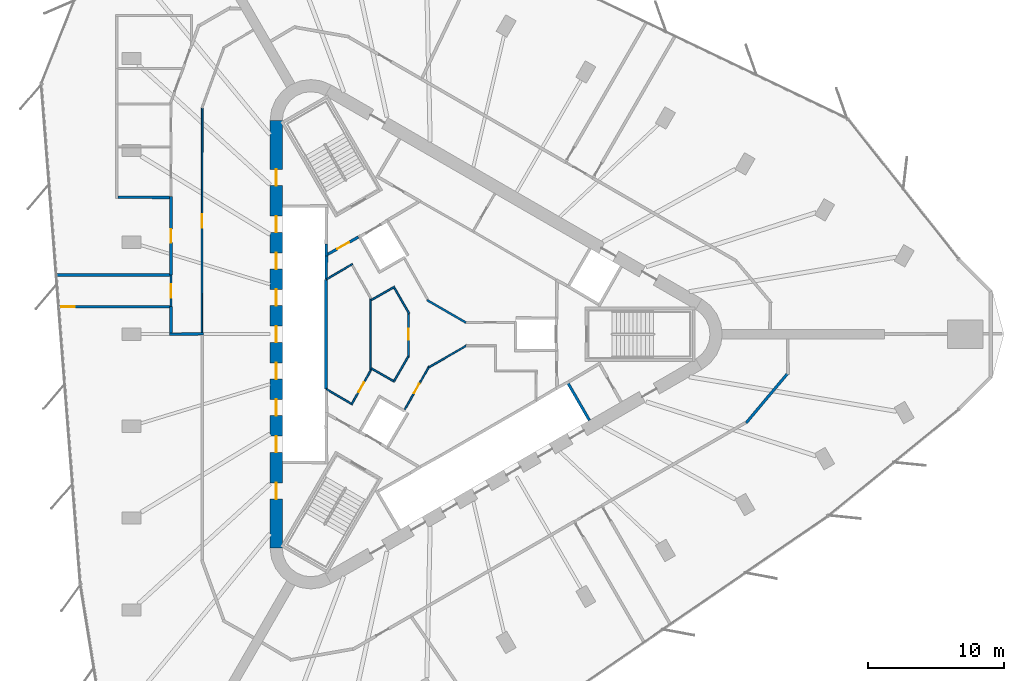
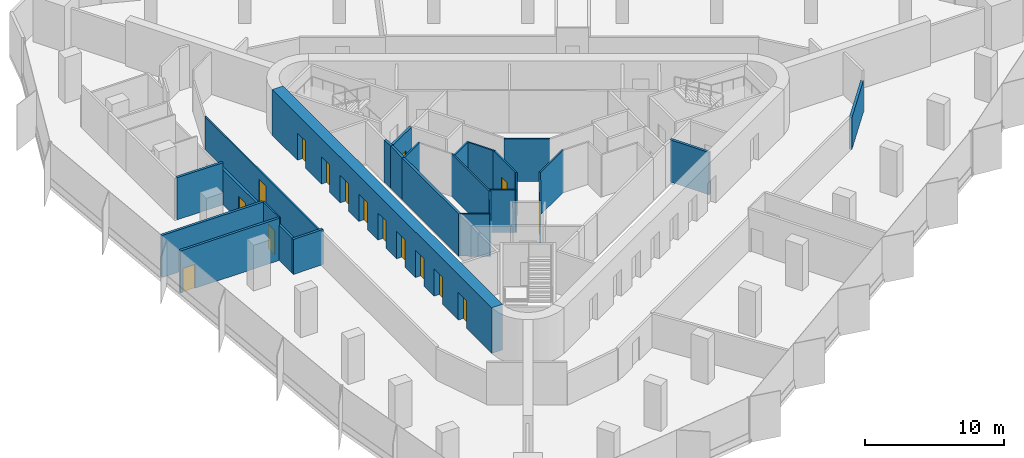
# One storey, part 9 of 13: 27 walls, 17 doors, 17 openings.
"""IFC4 building model written with IfcOpenShell, lengths in metres."""

import ifcopenshell
import ifcopenshell.guid

model = None  # the IFC model being written
_history = None  # IfcOwnerHistory: only IFC2X3 demands one
_inside = {}  # id of a spatial element -> (the spatial element, [elements in it])
_under = {}  # id of a project, library or spatial element -> (it, [spatial elements below it])
_declared = {}  # id of a project -> (the project, [libraries it declares])
_typed = {}  # id of a type object -> (the type object, [elements of that type])
_made_of = {}  # id of a material, layer set ... -> (it, [elements and type objects made of it])


def new_model(schema):
    """Start an empty IFC model of exactly this schema.

    Asked for "IFC4X3", IfcOpenShell would pick the latest addendum, in which some entities
    have other attributes; the version numbers below select the first issue.
    IFC2X3 requires an IfcOwnerHistory on every rooted entity: one is made here for all.
    """
    global model, _history
    if schema == "IFC4X3":
        model = ifcopenshell.file(schema_version=(4, 3, 0, 0))
    else:
        model = ifcopenshell.file(schema=schema)
    _inside.clear()
    _under.clear()
    _declared.clear()
    _typed.clear()
    _made_of.clear()
    _history = None
    if model.schema == "IFC2X3":
        org = make("IfcOrganization", Name="unknown")
        user = make(
            "IfcPersonAndOrganization",
            ThePerson=make("IfcPerson", FamilyName="unknown"),
            TheOrganization=org,
        )
        app = make(
            "IfcApplication",
            ApplicationDeveloper=org,
            Version="unknown",
            ApplicationFullName="unknown",
            ApplicationIdentifier="unknown",
        )
        _history = make(
            "IfcOwnerHistory",
            OwningUser=user,
            OwningApplication=app,
            ChangeAction="ADDED",
            CreationDate=0,
        )
    return model


def make(cls, **values):
    """One entity of the class cls with the attributes given. An attribute that is None is left unset."""
    return model.create_entity(
        cls, **{name: value for name, value in values.items() if value is not None}
    )


def rooted(cls, **values):
    """An entity with a GlobalId (a new one), such as an element, a storey or a relation."""
    return make(cls, GlobalId=ifcopenshell.guid.new(), OwnerHistory=_history, **values)


def si_unit(unit_type, name, prefix=None):
    """IfcSIUnit, for example si_unit("LENGTHUNIT", "METRE", prefix="MILLI")."""
    return make("IfcSIUnit", UnitType=unit_type, Prefix=prefix, Name=name)


def assignment(units):
    """IfcUnitAssignment: the units of a project."""
    return None if units is None else make("IfcUnitAssignment", Units=units)


def point(xyz):
    """IfcCartesianPoint."""
    return None if xyz is None else make("IfcCartesianPoint", Coordinates=xyz)


def direction(xyz):
    """IfcDirection."""
    return None if xyz is None else make("IfcDirection", DirectionRatios=xyz)


def frame(location, z_axis=None, x_axis=None):
    """IfcAxis2Placement3D, a coordinate frame: its origin and axes. An axis left out is left unset."""
    return make(
        "IfcAxis2Placement3D",
        Location=point(location),
        Axis=direction(z_axis),
        RefDirection=direction(x_axis),
    )


def frame_2d(location, x_axis=None):
    """IfcAxis2Placement2D, a coordinate frame in the plane: its origin and x axis."""
    return make(
        "IfcAxis2Placement2D", Location=point(location), RefDirection=direction(x_axis)
    )


def origin():
    """The frame at (0, 0, 0) with its axes left unset."""
    return frame((0.0, 0.0, 0.0))


def place(relative_to, where):
    """IfcLocalPlacement: puts the frame where relative to a parent placement (None: the world)."""
    return make(
        "IfcLocalPlacement", PlacementRelTo=relative_to, RelativePlacement=where
    )


def context(
    kind, dimensions, precision=None, world=None, true_north=None, identifier=None
):
    """IfcGeometricRepresentationContext, for example the 3D "Model" context."""
    return make(
        "IfcGeometricRepresentationContext",
        ContextIdentifier=identifier,
        ContextType=kind,
        CoordinateSpaceDimension=dimensions,
        Precision=precision,
        WorldCoordinateSystem=world,
        TrueNorth=true_north,
    )


def subcontext(parent, identifier, kind, view, scale=None):
    """IfcGeometricRepresentationSubContext, for example "Body" below "Model"."""
    return make(
        "IfcGeometricRepresentationSubContext",
        ContextIdentifier=identifier,
        ContextType=kind,
        ParentContext=parent,
        TargetScale=scale,
        TargetView=view,
    )


def project(units=None, contexts=None):
    """IfcProject with its units and contexts."""
    return rooted(
        "IfcProject",
        Name="project",
        RepresentationContexts=contexts,
        UnitsInContext=assignment(units),
    )


def spatial(cls, under=None, at=None, **own):
    """A site, building, storey or space (cls), placed at a placement, below another one or the project."""
    s = rooted(cls, ObjectPlacement=at, **own)
    if under is not None:
        _under.setdefault(under.id(), (under, []))[1].append(s)
    return s


def profile(cls, at=None, kind="AREA", **sizes):
    """A parametric profile (cls). Its sizes go by their IFC names, for example OverallWidth=200.0."""
    return make(cls, ProfileType=kind, Position=at, **sizes)


def rectangle(**sizes):
    """IfcRectangleProfileDef."""
    return profile("IfcRectangleProfileDef", **sizes)


def extrude(swept, where, along, depth):
    """IfcExtrudedAreaSolid: the profile swept, set in the frame where, extruded along a direction by depth."""
    return make(
        "IfcExtrudedAreaSolid",
        SweptArea=swept,
        Position=where,
        ExtrudedDirection=direction(along),
        Depth=depth,
    )


def shape(context_of_items, identifier, shape_type, items):
    """IfcShapeRepresentation: the items that make up one representation, for example the "Body"."""
    return make(
        "IfcShapeRepresentation",
        ContextOfItems=context_of_items,
        RepresentationIdentifier=identifier,
        RepresentationType=shape_type,
        Items=items,
    )


def material(Name=None, Category=None):
    """IfcMaterial."""
    return make("IfcMaterial", Name=Name, Category=Category)


def layer(
    of_material, thickness, ventilated=None, Name=None, Category=None, Priority=None
):
    """IfcMaterialLayer: one layer of a wall or slab, of a material (None: an air gap)."""
    return make(
        "IfcMaterialLayer",
        Material=of_material,
        LayerThickness=thickness,
        IsVentilated=ventilated,
        Name=Name,
        Category=Category,
        Priority=Priority,
    )


def layer_set(layers, Name=None):
    """IfcMaterialLayerSet."""
    return make("IfcMaterialLayerSet", MaterialLayers=layers, LayerSetName=Name)


def made_of(thing, what):
    """Note that an element or type object is made of a material, layer set ...; save() writes the relation."""
    if what is not None:
        _made_of.setdefault(what.id(), (what, []))[1].append(thing)
    return thing


def type_object(cls, material=None, **own):
    """A type object (cls), such as IfcWallType, which elements share."""
    return made_of(rooted(cls, **own), material)


def element(
    cls,
    number,
    at=None,
    inside=None,
    cuts=None,
    type_object=None,
    material=None,
    context=None,
    identifier="Body",
    shape_type=None,
    held_by="IfcProductDefinitionShape",
    body=None,
    shapes=None,
    **own,
):
    """One element of the class cls, such as IfcWall. Its Tag is "e" and its number.

    at: its placement. inside: the storey or other place that contains it. cuts: it is an
    opening in that element (IfcRelVoidsElement). A single representation is given by context,
    identifier, shape_type and body (its items); several are given by shapes. held_by: the class
    of the entity that holds the representations. save() writes the other relations.
    """
    e = rooted(cls, Tag="e%d" % number, ObjectPlacement=at, **own)
    if body is not None:
        shapes = [shape(context, identifier, shape_type, body)]
    if shapes is not None:
        e.Representation = make(held_by, Representations=shapes)
    if inside is not None:
        _inside.setdefault(inside.id(), (inside, []))[1].append(e)
    if cuts is not None:
        rooted(
            "IfcRelVoidsElement", RelatingBuildingElement=cuts, RelatedOpeningElement=e
        )
    if type_object is not None:
        _typed.setdefault(type_object.id(), (type_object, []))[1].append(e)
    return made_of(e, material)


def fill(opening, filler):
    """IfcRelFillsElement: the door or window that sits in an opening."""
    return rooted(
        "IfcRelFillsElement",
        RelatingOpeningElement=opening,
        RelatedBuildingElement=filler,
    )


def aggregate(whole, parts):
    """IfcRelAggregates: a whole, such as a stair, and the parts it consists of."""
    return rooted("IfcRelAggregates", RelatingObject=whole, RelatedObjects=parts)


def save(model, path):
    """Write the relations noted so far, then the file.

    IfcRelAggregates (storeys below a building ...), IfcRelContainedInSpatialStructure (elements
    in a storey), IfcRelDefinesByType, IfcRelAssociatesMaterial and IfcRelDeclares: one each for
    every whole, place, type object, material and project.
    """
    for whole, parts in _under.values():
        aggregate(whole, parts)
    for where, things in _inside.values():
        rooted(
            "IfcRelContainedInSpatialStructure",
            RelatedElements=things,
            RelatingStructure=where,
        )
    for kind, things in _typed.values():
        rooted("IfcRelDefinesByType", RelatedObjects=things, RelatingType=kind)
    for what, things in _made_of.values():
        rooted("IfcRelAssociatesMaterial", RelatedObjects=things, RelatingMaterial=what)
    for by, libraries in _declared.values():
        rooted("IfcRelDeclares", RelatingContext=by, RelatedDefinitions=libraries)
    model.write(path)


model = new_model("IFC4")

# Units and contexts
model_context = context("Model", 3, precision=1e-05, world=origin(), true_north=direction((0.0, 1.0)))
body_context = subcontext(model_context, "Body", "Model", "MODEL_VIEW")
ifc_project = project(units=[si_unit("LENGTHUNIT", "METRE"), si_unit("AREAUNIT", "SQUARE_METRE"), si_unit("VOLUMEUNIT", "CUBIC_METRE"), si_unit("PLANEANGLEUNIT", "RADIAN"), si_unit("MASSUNIT", "GRAM", prefix="KILO")], contexts=[model_context])

# Site, building, storey
site_placement = place(None, origin())
site = spatial("IfcSite", under=ifc_project, at=site_placement, CompositionType="ELEMENT")
building_placement = place(site_placement, origin())
building = spatial("IfcBuilding", under=site, at=building_placement, Name="Tanit Gate Tower", CompositionType="ELEMENT")
storey_placement = place(building_placement, frame((0.0, 0.0, 197.199951171875)))
storey = spatial("IfcBuildingStorey", under=building, at=storey_placement, Name="L43", CompositionType="ELEMENT", Elevation=197.199951171875)

# Wall, openings, doors
ifc_material_1 = material(Name="Concrete C50/60", Category="concrete")
ifc_layer_1 = layer(ifc_material_1, 0.89990234375)
ifc_layer_set_1 = layer_set([ifc_layer_1], Name="CORE WALL 900 C50/60")
wall_type_1 = type_object("IfcWallType", Name="CORE WALL 900 C50/60", PredefinedType="SHEAR", material=ifc_layer_set_1)
wall_1_placement = place(storey_placement, frame((-11.64990234375, 15.76171875, 0.0), z_axis=(0.0, 0.0, 1.0), x_axis=(0.0, -1.0, 0.0)))
wall_1 = element("IfcWall", 1, at=wall_1_placement, inside=storey, type_object=wall_type_1, Name="CORE WALL", PredefinedType="SHEAR", context=body_context, shape_type="SweptSolid", body=[
    extrude(rectangle(XDim=31.5234375, YDim=0.89990234375, at=frame_2d((15.76171875, 0.0))), origin(), (0.0, 0.0, 1.0), 4.0),
])
opening_1_placement = place(wall_1_placement, frame((7.061767578125, 0.0, 0.0)))
opening_1 = element("IfcOpeningElement", 2, at=opening_1_placement, cuts=wall_1, Name="Opening LDML1-S11", PredefinedType="OPENING", context=body_context, shape_type="SweptSolid", body=[
    extrude(rectangle(XDim=1.199951171875, YDim=2.39990234375, at=frame_2d((0.60009765625, 1.199951171875))), frame((0.0, 0.4599609375, 0.0), z_axis=(0.0, -1.0, 0.0), x_axis=(1.0, 0.0, 0.0)), (0.0, 0.0, 1.0), 0.919921875),
])
opening_2_placement = place(wall_1_placement, frame((9.76171875, 0.0, 0.0)))
opening_2 = element("IfcOpeningElement", 3, at=opening_2_placement, cuts=wall_1, Name="Opening LDML2-S11", PredefinedType="OPENING", context=body_context, shape_type="SweptSolid", body=[
    extrude(rectangle(XDim=1.199951171875, YDim=2.39990234375, at=frame_2d((0.60009765625, 1.199951171875))), frame((0.0, 0.4599609375, 0.0), z_axis=(0.0, -1.0, 0.0), x_axis=(1.0, 0.0, 0.0)), (0.0, 0.0, 1.0), 0.919921875),
])
opening_3_placement = place(wall_1_placement, frame((12.461669921875, 0.0, 0.0)))
opening_3 = element("IfcOpeningElement", 4, at=opening_3_placement, cuts=wall_1, Name="Opening LDML3-S11", PredefinedType="OPENING", context=body_context, shape_type="SweptSolid", body=[
    extrude(rectangle(XDim=1.199951171875, YDim=2.39990234375, at=frame_2d((0.60009765625, 1.199951171875))), frame((0.0, 0.4599609375, 0.0), z_axis=(0.0, -1.0, 0.0), x_axis=(1.0, 0.0, 0.0)), (0.0, 0.0, 1.0), 0.919921875),
])
opening_4_placement = place(wall_1_placement, frame((15.16162109375, 0.0, 0.0)))
opening_4 = element("IfcOpeningElement", 5, at=opening_4_placement, cuts=wall_1, Name="Opening LDML4-S11", PredefinedType="OPENING", context=body_context, shape_type="SweptSolid", body=[
    extrude(rectangle(XDim=1.199951171875, YDim=2.39990234375, at=frame_2d((0.60009765625, 1.199951171875))), frame((0.0, 0.4599609375, 0.0), z_axis=(0.0, -1.0, 0.0), x_axis=(1.0, 0.0, 0.0)), (0.0, 0.0, 1.0), 0.919921875),
])
opening_5_placement = place(wall_1_placement, frame((17.86181640625, 0.0, 0.0)))
opening_5 = element("IfcOpeningElement", 6, at=opening_5_placement, cuts=wall_1, Name="Opening LDML5-S11", PredefinedType="OPENING", context=body_context, shape_type="SweptSolid", body=[
    extrude(rectangle(XDim=1.199951171875, YDim=2.39990234375, at=frame_2d((0.60009765625, 1.199951171875))), frame((0.0, 0.4599609375, 0.0), z_axis=(0.0, -1.0, 0.0), x_axis=(1.0, 0.0, 0.0)), (0.0, 0.0, 1.0), 0.919921875),
])
opening_6_placement = place(wall_1_placement, frame((20.561767578125, 0.0, 0.0)))
opening_6 = element("IfcOpeningElement", 7, at=opening_6_placement, cuts=wall_1, Name="Opening LDML6-S11", PredefinedType="OPENING", context=body_context, shape_type="SweptSolid", body=[
    extrude(rectangle(XDim=1.199951171875, YDim=2.39990234375, at=frame_2d((0.60009765625, 1.199951171875))), frame((0.0, 0.4599609375, 0.0), z_axis=(0.0, -1.0, 0.0), x_axis=(1.0, 0.0, 0.0)), (0.0, 0.0, 1.0), 0.919921875),
])
opening_7_placement = place(wall_1_placement, frame((23.26171875, 0.0, 0.0)))
opening_7 = element("IfcOpeningElement", 8, at=opening_7_placement, cuts=wall_1, Name="Opening LDML7-S11", PredefinedType="OPENING", context=body_context, shape_type="SweptSolid", body=[
    extrude(rectangle(XDim=1.199951171875, YDim=2.39990234375, at=frame_2d((0.60009765625, 1.199951171875))), frame((0.0, 0.4599609375, 0.0), z_axis=(0.0, -1.0, 0.0), x_axis=(1.0, 0.0, 0.0)), (0.0, 0.0, 1.0), 0.919921875),
])
opening_8_placement = place(wall_1_placement, frame((3.61181640625, 0.0, 0.0)))
opening_8 = element("IfcOpeningElement", 9, at=opening_8_placement, cuts=wall_1, Name="Opening F12-S11-FL2", PredefinedType="OPENING", context=body_context, shape_type="SweptSolid", body=[
    extrude(rectangle(XDim=1.199951171875, YDim=2.39990234375, at=frame_2d((0.60009765625, 1.199951171875))), frame((0.0, 0.4599609375, 0.0), z_axis=(0.0, -1.0, 0.0), x_axis=(1.0, 0.0, 0.0)), (0.0, 0.0, 1.0), 0.919921875),
])
opening_9_placement = place(wall_1_placement, frame((26.711669921875, 0.0, 0.0)))
opening_9 = element("IfcOpeningElement", 10, at=opening_9_placement, cuts=wall_1, Name="Opening F12-S11-S3", PredefinedType="OPENING", context=body_context, shape_type="SweptSolid", body=[
    extrude(rectangle(XDim=1.199951171875, YDim=2.39990234375, at=frame_2d((0.60009765625, 1.199951171875))), frame((0.0, 0.4599609375, 0.0), z_axis=(0.0, -1.0, 0.0), x_axis=(1.0, 0.0, 0.0)), (0.0, 0.0, 1.0), 0.919921875),
])
ifc_material_2 = material(Name="Fire-rated steel door leaf", Category="steel")
door_type_1 = type_object("IfcDoorType", Name="INT-DOOR-FIRE-LOBBY-1200", OperationType="NOTDEFINED", PredefinedType="USERDEFINED", material=ifc_material_2)
door_1_placement = place(opening_8_placement, origin())
door_1 = element("IfcDoor", 11, at=door_1_placement, inside=storey, type_object=door_type_1, Name="Door F12-S11-FL2", ObjectType="FIRE DOOR", OperationType="SINGLE_SWING_RIGHT", OverallHeight=2.39990234375, OverallWidth=1.199951171875, PredefinedType="USERDEFINED", context=body_context, shape_type="SweptSolid", body=[
    extrude(rectangle(XDim=1.199951171875, YDim=2.39990234375, at=frame_2d((0.60009765625, 1.199951171875))), frame((0.0, 0.02490234375, 0.0), z_axis=(0.0, -1.0, 0.0), x_axis=(1.0, 0.0, 0.0)), (0.0, 0.0, 1.0), 0.050048828125),
])
fill(opening_8, door_1)
door_2_placement = place(opening_9_placement, origin())
door_2 = element("IfcDoor", 12, at=door_2_placement, inside=storey, type_object=door_type_1, Name="Door F12-S11-S3", ObjectType="FIRE DOOR", OperationType="SINGLE_SWING_RIGHT", OverallHeight=2.39990234375, OverallWidth=1.199951171875, PredefinedType="USERDEFINED", context=body_context, shape_type="SweptSolid", body=[
    extrude(rectangle(XDim=1.199951171875, YDim=2.39990234375, at=frame_2d((0.60009765625, 1.199951171875))), frame((0.0, 0.02490234375, 0.0), z_axis=(0.0, -1.0, 0.0), x_axis=(1.0, 0.0, 0.0)), (0.0, 0.0, 1.0), 0.050048828125),
])
fill(opening_9, door_2)
ifc_material_3 = material(Name="Stainless steel sliding door leaf", Category="steel")
door_type_2 = type_object("IfcDoorType", Name="INT-DOOR-LANDING-1200", OperationType="NOTDEFINED", PredefinedType="USERDEFINED", material=ifc_material_3)
door_3_placement = place(opening_1_placement, origin())
door_3 = element("IfcDoor", 13, at=door_3_placement, inside=storey, type_object=door_type_2, Name="Door LDML1-S11", ObjectType="LANDING DOOR", OperationType="SLIDING_TO_LEFT", OverallHeight=2.39990234375, OverallWidth=1.199951171875, PredefinedType="USERDEFINED", context=body_context, shape_type="SweptSolid", body=[
    extrude(rectangle(XDim=1.199951171875, YDim=2.39990234375, at=frame_2d((0.60009765625, 1.199951171875))), frame((0.0, 0.02490234375, 0.0), z_axis=(0.0, -1.0, 0.0), x_axis=(1.0, 0.0, 0.0)), (0.0, 0.0, 1.0), 0.050048828125),
])
fill(opening_1, door_3)
door_4_placement = place(opening_2_placement, origin())
door_4 = element("IfcDoor", 14, at=door_4_placement, inside=storey, type_object=door_type_2, Name="Door LDML2-S11", ObjectType="LANDING DOOR", OperationType="SLIDING_TO_LEFT", OverallHeight=2.39990234375, OverallWidth=1.199951171875, PredefinedType="USERDEFINED", context=body_context, shape_type="SweptSolid", body=[
    extrude(rectangle(XDim=1.199951171875, YDim=2.39990234375, at=frame_2d((0.60009765625, 1.199951171875))), frame((0.0, 0.02490234375, 0.0), z_axis=(0.0, -1.0, 0.0), x_axis=(1.0, 0.0, 0.0)), (0.0, 0.0, 1.0), 0.050048828125),
])
fill(opening_2, door_4)
door_5_placement = place(opening_3_placement, origin())
door_5 = element("IfcDoor", 15, at=door_5_placement, inside=storey, type_object=door_type_2, Name="Door LDML3-S11", ObjectType="LANDING DOOR", OperationType="SLIDING_TO_LEFT", OverallHeight=2.39990234375, OverallWidth=1.199951171875, PredefinedType="USERDEFINED", context=body_context, shape_type="SweptSolid", body=[
    extrude(rectangle(XDim=1.199951171875, YDim=2.39990234375, at=frame_2d((0.60009765625, 1.199951171875))), frame((0.0, 0.02490234375, 0.0), z_axis=(0.0, -1.0, 0.0), x_axis=(1.0, 0.0, 0.0)), (0.0, 0.0, 1.0), 0.050048828125),
])
fill(opening_3, door_5)
door_6_placement = place(opening_4_placement, origin())
door_6 = element("IfcDoor", 16, at=door_6_placement, inside=storey, type_object=door_type_2, Name="Door LDML4-S11", ObjectType="LANDING DOOR", OperationType="SLIDING_TO_LEFT", OverallHeight=2.39990234375, OverallWidth=1.199951171875, PredefinedType="USERDEFINED", context=body_context, shape_type="SweptSolid", body=[
    extrude(rectangle(XDim=1.199951171875, YDim=2.39990234375, at=frame_2d((0.60009765625, 1.199951171875))), frame((0.0, 0.02490234375, 0.0), z_axis=(0.0, -1.0, 0.0), x_axis=(1.0, 0.0, 0.0)), (0.0, 0.0, 1.0), 0.050048828125),
])
fill(opening_4, door_6)
door_7_placement = place(opening_5_placement, origin())
door_7 = element("IfcDoor", 17, at=door_7_placement, inside=storey, type_object=door_type_2, Name="Door LDML5-S11", ObjectType="LANDING DOOR", OperationType="SLIDING_TO_LEFT", OverallHeight=2.39990234375, OverallWidth=1.199951171875, PredefinedType="USERDEFINED", context=body_context, shape_type="SweptSolid", body=[
    extrude(rectangle(XDim=1.199951171875, YDim=2.39990234375, at=frame_2d((0.60009765625, 1.199951171875))), frame((0.0, 0.02490234375, 0.0), z_axis=(0.0, -1.0, 0.0), x_axis=(1.0, 0.0, 0.0)), (0.0, 0.0, 1.0), 0.050048828125),
])
fill(opening_5, door_7)
door_8_placement = place(opening_6_placement, origin())
door_8 = element("IfcDoor", 18, at=door_8_placement, inside=storey, type_object=door_type_2, Name="Door LDML6-S11", ObjectType="LANDING DOOR", OperationType="SLIDING_TO_LEFT", OverallHeight=2.39990234375, OverallWidth=1.199951171875, PredefinedType="USERDEFINED", context=body_context, shape_type="SweptSolid", body=[
    extrude(rectangle(XDim=1.199951171875, YDim=2.39990234375, at=frame_2d((0.60009765625, 1.199951171875))), frame((0.0, 0.02490234375, 0.0), z_axis=(0.0, -1.0, 0.0), x_axis=(1.0, 0.0, 0.0)), (0.0, 0.0, 1.0), 0.050048828125),
])
fill(opening_6, door_8)
door_9_placement = place(opening_7_placement, origin())
door_9 = element("IfcDoor", 19, at=door_9_placement, inside=storey, type_object=door_type_2, Name="Door LDML7-S11", ObjectType="LANDING DOOR", OperationType="SLIDING_TO_LEFT", OverallHeight=2.39990234375, OverallWidth=1.199951171875, PredefinedType="USERDEFINED", context=body_context, shape_type="SweptSolid", body=[
    extrude(rectangle(XDim=1.199951171875, YDim=2.39990234375, at=frame_2d((0.60009765625, 1.199951171875))), frame((0.0, 0.02490234375, 0.0), z_axis=(0.0, -1.0, 0.0), x_axis=(1.0, 0.0, 0.0)), (0.0, 0.0, 1.0), 0.050048828125),
])
fill(opening_7, door_9)

# Wall, opening, door
ifc_material_4 = material(Name="Fire-rated gypsum board partition")
ifc_layer_2 = layer(ifc_material_4, 0.199951171875)
ifc_layer_set_2 = layer_set([ifc_layer_2], Name="INT-WALL-COMPARTMENT")
wall_type_2 = type_object("IfcWallType", Name="INT-WALL-COMPARTMENT", PredefinedType="PARTITIONING", material=ifc_layer_set_2)
wall_2_placement = place(storey_placement, frame((-5.600341796875, 7.16015625, 0.0), z_axis=(0.0, 0.0, 1.0), x_axis=(-0.871363259478, -0.490638431059, 0.0)))
wall_2 = element("IfcWall", 20, at=wall_2_placement, inside=storey, type_object=wall_type_2, Name="Wall Compartment W060", PredefinedType="PARTITIONING", context=body_context, shape_type="SweptSolid", body=[
    extrude(rectangle(XDim=2.5810546875, YDim=0.199951171875, at=frame_2d((1.29052734375, 0.0))), origin(), (0.0, 0.0, 1.0), 3.699951171875),
])
opening_10_placement = place(wall_2_placement, frame((0.79052734375, 0.0, 0.0)))
opening_10 = element("IfcOpeningElement", 21, at=opening_10_placement, cuts=wall_2, Name="Opening F10-S11-05", PredefinedType="OPENING", context=body_context, shape_type="SweptSolid", body=[
    extrude(rectangle(XDim=1.0, YDim=2.10009765625, at=frame_2d((0.5, 1.050048828125))), frame((0.0, 0.10986328125, 0.0), z_axis=(0.0, -1.0, 0.0), x_axis=(1.0, 0.0, 0.0)), (0.0, 0.0, 1.0), 0.219970703125),
])
ifc_material_5 = material(Name="Fire-rated steel door leaf", Category="steel")
door_type_3 = type_object("IfcDoorType", Name="INT-DOOR-FIRE-1000", OperationType="NOTDEFINED", PredefinedType="USERDEFINED", material=ifc_material_5)
door_10_placement = place(opening_10_placement, origin())
door_10 = element("IfcDoor", 22, at=door_10_placement, inside=storey, type_object=door_type_3, Name="Door F10-S11-05", ObjectType="FIRE DOOR", OperationType="SINGLE_SWING_RIGHT", OverallHeight=2.10009765625, OverallWidth=1.0, PredefinedType="USERDEFINED", context=body_context, shape_type="SweptSolid", body=[
    extrude(rectangle(XDim=1.0, YDim=2.10009765625, at=frame_2d((0.5, 1.050048828125))), frame((0.0, 0.02490234375, 0.0), z_axis=(0.0, -1.0, 0.0), x_axis=(1.0, 0.0, 0.0)), (0.0, 0.0, 1.0), 0.050048828125),
])
fill(opening_10, door_10)

# Wall
wall_3_placement = place(storey_placement, frame((-19.5, -0.001220703125, 0.0), z_axis=(0.0, 0.0, 1.0), x_axis=(0.999915662945, 0.012987185857, 0.0)))
element("IfcWall", 23, at=wall_3_placement, inside=storey, type_object=wall_type_2, Name="Wall Compartment W086", PredefinedType="PARTITIONING", context=body_context, shape_type="SweptSolid", body=[
    extrude(rectangle(XDim=2.500244140625, YDim=0.199951171875, at=frame_2d((1.25, 0.0))), origin(), (0.0, 0.0, 1.0), 3.070068359375),
])

# Wall, opening, door
wall_4_placement = place(storey_placement, frame((-19.39990234375, 10.1298828125, 0.0), z_axis=(0.0, 0.0, 1.0), x_axis=(0.0, -1.0, 0.0)))
wall_4 = element("IfcWall", 24, at=wall_4_placement, inside=storey, type_object=wall_type_2, Name="Wall Compartment W088", PredefinedType="PARTITIONING", context=body_context, shape_type="SweptSolid", body=[
    extrude(rectangle(XDim=5.77978515625, YDim=0.199951171875, at=frame_2d((2.889892578125, 0.0))), origin(), (0.0, 0.0, 1.0), 3.070068359375),
])
opening_11_placement = place(wall_4_placement, frame((2.3798828125, 0.0, 0.0)))
opening_11 = element("IfcOpeningElement", 25, at=opening_11_placement, cuts=wall_4, Name="Opening F10-S11-26", PredefinedType="OPENING", context=body_context, shape_type="SweptSolid", body=[
    extrude(rectangle(XDim=1.0, YDim=2.10009765625, at=frame_2d((0.5, 1.050048828125))), frame((0.0, 0.10986328125, 0.0), z_axis=(0.0, -1.0, 0.0), x_axis=(1.0, 0.0, 0.0)), (0.0, 0.0, 1.0), 0.219970703125),
])
door_11_placement = place(opening_11_placement, origin())
door_11 = element("IfcDoor", 26, at=door_11_placement, inside=storey, type_object=door_type_3, Name="Door F10-S11-26", ObjectType="FIRE DOOR", OperationType="SINGLE_SWING_RIGHT", OverallHeight=2.10009765625, OverallWidth=1.0, PredefinedType="USERDEFINED", context=body_context, shape_type="SweptSolid", body=[
    extrude(rectangle(XDim=1.0, YDim=2.10009765625, at=frame_2d((0.5, 1.050048828125))), frame((0.0, 0.02490234375, 0.0), z_axis=(0.0, -1.0, 0.0), x_axis=(1.0, 0.0, 0.0)), (0.0, 0.0, 1.0), 0.050048828125),
])
fill(opening_11, door_11)

# Walls
wall_5_placement = place(storey_placement, frame((-19.39990234375, 2.050048828125, 0.0), z_axis=(0.0, 0.0, 1.0), x_axis=(0.0, -1.0, 0.0)))
element("IfcWall", 27, at=wall_5_placement, inside=storey, type_object=wall_type_2, Name="Wall Compartment W087", PredefinedType="PARTITIONING", context=body_context, shape_type="SweptSolid", body=[
    extrude(rectangle(XDim=1.949951171875, YDim=0.199951171875, at=frame_2d((0.97509765625, 0.0))), origin(), (0.0, 0.0, 1.0), 3.070068359375),
])
wall_6_placement = place(storey_placement, frame((22.968017578125, -6.5244140625, 0.0), z_axis=(0.0, 0.0, 1.0), x_axis=(0.642764400317, 0.766063917493, 0.0)))
element("IfcWall", 28, at=wall_6_placement, inside=storey, type_object=wall_type_2, Name="Wall Compartment W109", PredefinedType="PARTITIONING", context=body_context, shape_type="SweptSolid", body=[
    extrude(rectangle(XDim=4.740234375, YDim=0.199951171875, at=frame_2d((2.3701171875, 0.0))), origin(), (0.0, 0.0, 1.0), 2.780029296875),
])

# Wall, opening, door
wall_7_placement = place(storey_placement, frame((-27.681396484375, 2.02978515625, 0.0), z_axis=(0.0, 0.0, 1.0), x_axis=(0.999999999559, 2.969562e-05, 0.0)))
wall_7 = element("IfcWall", 29, at=wall_7_placement, inside=storey, type_object=wall_type_2, Name="Wall Compartment W115", PredefinedType="PARTITIONING", context=body_context, shape_type="SweptSolid", body=[
    extrude(rectangle(XDim=8.221435546875, YDim=0.199951171875, at=frame_2d((4.11083984375, 0.0))), origin(), (0.0, 0.0, 1.0), 3.699951171875),
])
opening_12_placement = place(wall_7_placement, frame((0.199951171875, 0.0, 0.0)))
opening_12 = element("IfcOpeningElement", 30, at=opening_12_placement, cuts=wall_7, Name="Opening F10-S11-25", PredefinedType="OPENING", context=body_context, shape_type="SweptSolid", body=[
    extrude(rectangle(XDim=1.0, YDim=2.10009765625, at=frame_2d((0.5, 1.050048828125))), frame((0.0, 0.10986328125, 0.0), z_axis=(0.0, -1.0, 0.0), x_axis=(1.0, 0.0, 0.0)), (0.0, 0.0, 1.0), 0.219970703125),
])
door_12_placement = place(opening_12_placement, origin())
door_12 = element("IfcDoor", 31, at=door_12_placement, inside=storey, type_object=door_type_3, Name="Door F10-S11-25", ObjectType="FIRE DOOR", OperationType="SINGLE_SWING_RIGHT", OverallHeight=2.10009765625, OverallWidth=1.0, PredefinedType="USERDEFINED", context=body_context, shape_type="SweptSolid", body=[
    extrude(rectangle(XDim=1.0, YDim=2.10009765625, at=frame_2d((0.5, 1.050048828125))), frame((0.0, 0.02490234375, 0.0), z_axis=(0.0, -1.0, 0.0), x_axis=(1.0, 0.0, 0.0)), (0.0, 0.0, 1.0), 0.050048828125),
])
fill(opening_12, door_12)

# Walls
wall_8_placement = place(storey_placement, frame((-19.4599609375, 4.3701171875, 0.0), z_axis=(0.0, 0.0, 1.0), x_axis=(-1.0, 0.0, 0.0)))
element("IfcWall", 32, at=wall_8_placement, inside=storey, type_object=wall_type_2, Name="Wall Compartment W116", PredefinedType="PARTITIONING", context=body_context, shape_type="SweptSolid", body=[
    extrude(rectangle(XDim=8.404296875, YDim=0.199951171875, at=frame_2d((4.2021484375, 0.0))), origin(), (0.0, 0.0, 1.0), 3.699951171875),
])
wall_9_placement = place(storey_placement, frame((-23.300048828125, 10.099365234375, 0.0), z_axis=(0.0, 0.0, 1.0), x_axis=(0.999971749569, -0.007516652406, 0.0)))
element("IfcWall", 33, at=wall_9_placement, inside=storey, type_object=wall_type_2, Name="Wall Compartment W122", PredefinedType="PARTITIONING", context=body_context, shape_type="SweptSolid", body=[
    extrude(rectangle(XDim=3.800048828125, YDim=0.199951171875, at=frame_2d((1.89990234375, 0.0))), origin(), (0.0, 0.0, 1.0), 3.699951171875),
])

# Wall, opening, door
ifc_material_6 = material(Name="Gypsum board partition")
ifc_layer_3 = layer(ifc_material_6, 0.1201171875)
ifc_layer_set_3 = layer_set([ifc_layer_3], Name="INT-WALL-PARTITION")
wall_type_3 = type_object("IfcWallType", Name="INT-WALL-PARTITION", PredefinedType="PARTITIONING", material=ifc_layer_set_3)
wall_10_placement = place(storey_placement, frame((-0.3828125, -2.361328125, 0.0), z_axis=(0.0, 0.0, 1.0), x_axis=(-0.492992395315, -0.870033618983, 0.0)))
wall_10 = element("IfcWall", 34, at=wall_10_placement, inside=storey, type_object=wall_type_3, Name="Wall Partition W066", PredefinedType="PARTITIONING", context=body_context, shape_type="SweptSolid", body=[
    extrude(rectangle(XDim=3.66357421875, YDim=0.1201171875, at=frame_2d((1.831787109375, 0.0))), origin(), (0.0, 0.0, 1.0), 3.699951171875),
])
opening_13_placement = place(wall_10_placement, frame((1.48291015625, 0.0, 0.0)))
opening_13 = element("IfcOpeningElement", 35, at=opening_13_placement, cuts=wall_10, Name="Opening R08-S11-11", PredefinedType="OPENING", context=body_context, shape_type="SweptSolid", body=[
    extrude(rectangle(XDim=0.800048828125, YDim=2.10009765625, at=frame_2d((0.39990234375, 1.050048828125))), frame((0.0, 0.070068359375, 0.0), z_axis=(0.0, -1.0, 0.0), x_axis=(1.0, 0.0, 0.0)), (0.0, 0.0, 1.0), 0.14013671875),
])
ifc_material_7 = material(Name="Timber door leaf", Category="wood")
door_type_4 = type_object("IfcDoorType", Name="INT-DOOR-RISER-800", OperationType="NOTDEFINED", PredefinedType="USERDEFINED", material=ifc_material_7)
door_13_placement = place(opening_13_placement, origin())
door_13 = element("IfcDoor", 36, at=door_13_placement, inside=storey, type_object=door_type_4, Name="Door R08-S11-11", ObjectType="FIRE DOOR", OperationType="SINGLE_SWING_RIGHT", OverallHeight=2.10009765625, OverallWidth=0.800048828125, PredefinedType="USERDEFINED", context=body_context, shape_type="SweptSolid", body=[
    extrude(rectangle(XDim=0.800048828125, YDim=2.10009765625, at=frame_2d((0.39990234375, 1.050048828125))), frame((0.0, 0.02490234375, 0.0), z_axis=(0.0, -1.0, 0.0), x_axis=(1.0, 0.0, 0.0)), (0.0, 0.0, 1.0), 0.050048828125),
])
fill(opening_13, door_13)

# Walls
wall_11_placement = place(storey_placement, frame((2.42822265625, -0.798095703125, 0.0), z_axis=(0.0, 0.0, 1.0), x_axis=(-0.866034586814, -0.499984094189, 0.0)))
element("IfcWall", 37, at=wall_11_placement, inside=storey, type_object=wall_type_3, Name="Wall Partition W067", PredefinedType="PARTITIONING", context=body_context, shape_type="SweptSolid", body=[
    extrude(rectangle(XDim=3.28466796875, YDim=0.1201171875, at=frame_2d((1.642333984375, 0.0))), origin(), (0.0, 0.0, 1.0), 3.699951171875),
])
wall_12_placement = place(storey_placement, frame((-4.700927734375, -2.7421875, 0.0), z_axis=(0.0, 0.0, 1.0), x_axis=(0.0, 1.0, 0.0)))
element("IfcWall", 38, at=wall_12_placement, inside=storey, type_object=wall_type_3, Name="Wall Partition W072", PredefinedType="PARTITIONING", context=body_context, shape_type="SweptSolid", body=[
    extrude(rectangle(XDim=5.484375, YDim=0.1201171875, at=frame_2d((2.7421875, 0.0))), origin(), (0.0, 0.0, 1.0), 3.699951171875),
])

# Wall, opening, door
wall_13_placement = place(storey_placement, frame((-6.11767578125, -5.197509765625, 0.0), z_axis=(0.0, 0.0, 1.0), x_axis=(0.491036167924, 0.871139186233, 0.0)))
wall_13 = element("IfcWall", 39, at=wall_13_placement, inside=storey, type_object=wall_type_3, Name="Wall Partition W073", PredefinedType="PARTITIONING", context=body_context, shape_type="SweptSolid", body=[
    extrude(rectangle(XDim=2.916015625, YDim=0.1201171875, at=frame_2d((1.4580078125, 0.0))), origin(), (0.0, 0.0, 1.0), 3.699951171875),
])
opening_14_placement = place(wall_13_placement, frame((1.088134765625, 0.0, 0.0)))
opening_14 = element("IfcOpeningElement", 40, at=opening_14_placement, cuts=wall_13, Name="Opening R08-S11-12", PredefinedType="OPENING", context=body_context, shape_type="SweptSolid", body=[
    extrude(rectangle(XDim=0.800048828125, YDim=2.10009765625, at=frame_2d((0.39990234375, 1.050048828125))), frame((0.0, 0.070068359375, 0.0), z_axis=(0.0, -1.0, 0.0), x_axis=(1.0, 0.0, 0.0)), (0.0, 0.0, 1.0), 0.14013671875),
])
door_14_placement = place(opening_14_placement, origin())
door_14 = element("IfcDoor", 41, at=door_14_placement, inside=storey, type_object=door_type_4, Name="Door R08-S11-12", ObjectType="FIRE DOOR", OperationType="SINGLE_SWING_LEFT", OverallHeight=2.10009765625, OverallWidth=0.800048828125, PredefinedType="USERDEFINED", context=body_context, shape_type="SweptSolid", body=[
    extrude(rectangle(XDim=0.800048828125, YDim=2.10009765625, at=frame_2d((0.39990234375, 1.050048828125))), frame((0.0, 0.02490234375, 0.0), z_axis=(0.0, -1.0, 0.0), x_axis=(1.0, 0.0, 0.0)), (0.0, 0.0, 1.0), 0.050048828125),
])
fill(opening_14, door_14)

# Walls
wall_14_placement = place(storey_placement, frame((-7.949951171875, -4.041015625, 0.0), z_axis=(0.0, 0.0, 1.0), x_axis=(0.860112457103, -0.510104461004, 0.0)))
element("IfcWall", 42, at=wall_14_placement, inside=storey, type_object=wall_type_3, Name="Wall Partition W074", PredefinedType="PARTITIONING", context=body_context, shape_type="SweptSolid", body=[
    extrude(rectangle(XDim=2.1044921875, YDim=0.1201171875, at=frame_2d((1.05224609375, 0.0))), origin(), (0.0, 0.0, 1.0), 3.699951171875),
])
wall_15_placement = place(storey_placement, frame((-6.03662109375, 5.17578125, 0.0), z_axis=(0.0, 0.0, 1.0), x_axis=(-0.860106072674, -0.510115225953, 0.0)))
element("IfcWall", 43, at=wall_15_placement, inside=storey, type_object=wall_type_3, Name="Wall Partition W075", PredefinedType="PARTITIONING", context=body_context, shape_type="SweptSolid", body=[
    extrude(rectangle(XDim=2.224609375, YDim=0.1201171875, at=frame_2d((1.1123046875, 0.0))), origin(), (0.0, 0.0, 1.0), 3.699951171875),
])
wall_16_placement = place(storey_placement, frame((-2.93408203125, 3.502197265625, 0.0), z_axis=(0.0, 0.0, 1.0), x_axis=(-0.866039121236, -0.499976239924, 0.0)))
element("IfcWall", 44, at=wall_16_placement, inside=storey, type_object=wall_type_3, Name="Wall Partition W077", PredefinedType="PARTITIONING", context=body_context, shape_type="SweptSolid", body=[
    extrude(rectangle(XDim=1.970703125, YDim=0.1201171875, at=frame_2d((0.9853515625, 0.0))), origin(), (0.0, 0.0, 1.0), 3.699951171875),
])
wall_17_placement = place(storey_placement, frame((-1.853271484375, 1.510009765625, 0.0), z_axis=(0.0, 0.0, 1.0), x_axis=(-0.499984350684, 0.866034438732, 0.0)))
element("IfcWall", 45, at=wall_17_placement, inside=storey, type_object=wall_type_3, Name="Wall Partition W078", PredefinedType="PARTITIONING", context=body_context, shape_type="SweptSolid", body=[
    extrude(rectangle(XDim=2.20556640625, YDim=0.1201171875, at=frame_2d((1.102783203125, 0.0))), origin(), (0.0, 0.0, 1.0), 3.699951171875),
])

# Wall, opening, door
wall_18_placement = place(storey_placement, frame((-1.9052734375, -1.703857421875, 0.0), z_axis=(0.0, 0.0, 1.0), x_axis=(0.0, 1.0, 0.0)))
wall_18 = element("IfcWall", 46, at=wall_18_placement, inside=storey, type_object=wall_type_3, Name="Wall Partition W079", PredefinedType="PARTITIONING", context=body_context, shape_type="SweptSolid", body=[
    extrude(rectangle(XDim=3.285400390625, YDim=0.1201171875, at=frame_2d((1.642578125, 0.0))), origin(), (0.0, 0.0, 1.0), 3.699951171875),
])
opening_15_placement = place(wall_18_placement, frame((1.294677734375, 0.0, 0.0)))
opening_15 = element("IfcOpeningElement", 47, at=opening_15_placement, cuts=wall_18, Name="Opening R08-S11-13", PredefinedType="OPENING", context=body_context, shape_type="SweptSolid", body=[
    extrude(rectangle(XDim=0.800048828125, YDim=2.10009765625, at=frame_2d((0.39990234375, 1.050048828125))), frame((0.0, 0.070068359375, 0.0), z_axis=(0.0, -1.0, 0.0), x_axis=(1.0, 0.0, 0.0)), (0.0, 0.0, 1.0), 0.14013671875),
])
door_15_placement = place(opening_15_placement, origin())
door_15 = element("IfcDoor", 48, at=door_15_placement, inside=storey, type_object=door_type_4, Name="Door R08-S11-13", ObjectType="FIRE DOOR", OperationType="SINGLE_SWING_RIGHT", OverallHeight=2.10009765625, OverallWidth=0.800048828125, PredefinedType="USERDEFINED", context=body_context, shape_type="SweptSolid", body=[
    extrude(rectangle(XDim=0.800048828125, YDim=2.10009765625, at=frame_2d((0.39990234375, 1.050048828125))), frame((0.0, 0.02490234375, 0.0), z_axis=(0.0, -1.0, 0.0), x_axis=(1.0, 0.0, 0.0)), (0.0, 0.0, 1.0), 0.050048828125),
])
fill(opening_15, door_15)

# Walls
wall_19_placement = place(storey_placement, frame((-3.01611328125, -3.524169921875, 0.0), z_axis=(0.0, 0.0, 1.0), x_axis=(0.499952654668, 0.866052736899, 0.0)))
element("IfcWall", 49, at=wall_19_placement, inside=storey, type_object=wall_type_3, Name="Wall Partition W080", PredefinedType="PARTITIONING", context=body_context, shape_type="SweptSolid", body=[
    extrude(rectangle(XDim=2.203369140625, YDim=0.1201171875, at=frame_2d((1.1015625, 0.0))), origin(), (0.0, 0.0, 1.0), 3.699951171875),
])
wall_20_placement = place(storey_placement, frame((-4.640869140625, -2.516845703125, 0.0), z_axis=(0.0, 0.0, 1.0), x_axis=(0.866042797968, -0.49996987118, 0.0)))
element("IfcWall", 50, at=wall_20_placement, inside=storey, type_object=wall_type_3, Name="Wall Partition W081", PredefinedType="PARTITIONING", context=body_context, shape_type="SweptSolid", body=[
    extrude(rectangle(XDim=1.8505859375, YDim=0.1201171875, at=frame_2d((0.92529296875, 0.0))), origin(), (0.0, 0.0, 1.0), 3.699951171875),
])

# Wall, opening, door
wall_21_placement = place(storey_placement, frame((-17.1298828125, 0.0, 0.0), z_axis=(0.0, 0.0, 1.0), x_axis=(0.001787542932, 0.999998402344, 0.0)))
wall_21 = element("IfcWall", 51, at=wall_21_placement, inside=storey, type_object=wall_type_3, Name="Wall Partition W084", PredefinedType="PARTITIONING", context=body_context, shape_type="SweptSolid", body=[
    extrude(rectangle(XDim=16.66259765625, YDim=0.1201171875, at=frame_2d((8.331298828125, 0.0))), origin(), (0.0, 0.0, 1.0), 2.880126953125),
])
opening_16_placement = place(wall_21_placement, frame((7.831298828125, 0.0, 0.0)))
opening_16 = element("IfcOpeningElement", 52, at=opening_16_placement, cuts=wall_21, Name="Opening D10-S11-17", PredefinedType="OPENING", context=body_context, shape_type="SweptSolid", body=[
    extrude(rectangle(XDim=1.0, YDim=2.10009765625, at=frame_2d((0.5, 1.050048828125))), frame((0.0, 0.070068359375, 0.0), z_axis=(0.0, -1.0, 0.0), x_axis=(1.0, 0.0, 0.0)), (0.0, 0.0, 1.0), 0.14013671875),
])
ifc_material_8 = material(Name="Timber door leaf", Category="wood")
door_type_5 = type_object("IfcDoorType", Name="INT-DOOR-SINGLE-1000", OperationType="NOTDEFINED", PredefinedType="NOTDEFINED", material=ifc_material_8)
door_16_placement = place(opening_16_placement, origin())
door_16 = element("IfcDoor", 53, at=door_16_placement, inside=storey, type_object=door_type_5, Name="Door D10-S11-17", OperationType="SINGLE_SWING_LEFT", OverallHeight=2.10009765625, OverallWidth=1.0, PredefinedType="NOTDEFINED", context=body_context, shape_type="SweptSolid", body=[
    extrude(rectangle(XDim=1.0, YDim=2.10009765625, at=frame_2d((0.5, 1.050048828125))), frame((0.0, 0.02490234375, 0.0), z_axis=(0.0, -1.0, 0.0), x_axis=(1.0, 0.0, 0.0)), (0.0, 0.0, 1.0), 0.050048828125),
])
fill(opening_16, door_16)

wall_22_placement = place(storey_placement, frame((-19.39990234375, 4.35009765625, 0.0), z_axis=(0.0, 0.0, 1.0), x_axis=(0.0, -1.0, 0.0)))
wall_22 = element("IfcWall", 54, at=wall_22_placement, inside=storey, type_object=wall_type_3, Name="Wall Partition W085", PredefinedType="PARTITIONING", context=body_context, shape_type="SweptSolid", body=[
    extrude(rectangle(XDim=2.300048828125, YDim=0.1201171875, at=frame_2d((1.14990234375, 0.0))), origin(), (0.0, 0.0, 1.0), 3.699951171875),
])
opening_17_placement = place(wall_22_placement, frame((0.64990234375, 0.0, 0.0)))
opening_17 = element("IfcOpeningElement", 55, at=opening_17_placement, cuts=wall_22, Name="Opening D10-S11-18", PredefinedType="OPENING", context=body_context, shape_type="SweptSolid", body=[
    extrude(rectangle(XDim=1.0, YDim=2.10009765625, at=frame_2d((0.5, 1.050048828125))), frame((0.0, 0.070068359375, 0.0), z_axis=(0.0, -1.0, 0.0), x_axis=(1.0, 0.0, 0.0)), (0.0, 0.0, 1.0), 0.14013671875),
])
door_17_placement = place(opening_17_placement, origin())
door_17 = element("IfcDoor", 56, at=door_17_placement, inside=storey, type_object=door_type_5, Name="Door D10-S11-18", OperationType="SINGLE_SWING_RIGHT", OverallHeight=2.10009765625, OverallWidth=1.0, PredefinedType="NOTDEFINED", context=body_context, shape_type="SweptSolid", body=[
    extrude(rectangle(XDim=1.0, YDim=2.10009765625, at=frame_2d((0.5, 1.050048828125))), frame((0.0, 0.02490234375, 0.0), z_axis=(0.0, -1.0, 0.0), x_axis=(1.0, 0.0, 0.0)), (0.0, 0.0, 1.0), 0.050048828125),
])
fill(opening_17, door_17)

# Walls
ifc_material_9 = material(Name="Fire-rated gypsum board partition")
ifc_layer_4 = layer(ifc_material_9, 0.14990234375)
ifc_layer_set_4 = layer_set([ifc_layer_4], Name="INT-WALL-RISER")
wall_type_4 = type_object("IfcWallType", Name="INT-WALL-RISER", PredefinedType="PLUMBINGWALL", material=ifc_layer_set_4)
wall_23_placement = place(storey_placement, frame((-0.54345703125, 2.513671875, 0.0), z_axis=(0.0, 0.0, 1.0), x_axis=(0.866042846705, -0.499969786758, 0.0)))
element("IfcWall", 57, at=wall_23_placement, inside=storey, type_object=wall_type_4, Name="Wall Riser W064", PredefinedType="PLUMBINGWALL", context=body_context, shape_type="SweptSolid", body=[
    extrude(rectangle(XDim=3.303955078125, YDim=0.14990234375, at=frame_2d((1.65185546875, 0.0))), origin(), (0.0, 0.0, 1.0), 3.699951171875),
])
ifc_material_10 = material(Name="Gypsum shaft wall system")
ifc_layer_5 = layer(ifc_material_10, 0.199951171875)
ifc_layer_set_5 = layer_set([ifc_layer_5], Name="INT-WALL-SHAFT")
wall_type_5 = type_object("IfcWallType", Name="INT-WALL-SHAFT", PredefinedType="PLUMBINGWALL", material=ifc_layer_set_5)
wall_24_placement = place(storey_placement, frame((-7.97705078125, 6.650146484375, 0.0), z_axis=(0.0, 0.0, 1.0), x_axis=(0.030861509705, -0.999523670164, 0.0)))
element("IfcWall", 58, at=wall_24_placement, inside=storey, type_object=wall_type_5, Name="Wall Shaft W003", PredefinedType="PLUMBINGWALL", context=body_context, shape_type="SweptSolid", body=[
    extrude(rectangle(XDim=0.878173828125, YDim=0.199951171875, at=frame_2d((0.43896484375, 0.0))), origin(), (0.0, 0.0, 1.0), 3.699951171875),
])
wall_25_placement = place(storey_placement, frame((-7.94921875, 5.894775390625, 0.0), z_axis=(0.0, 0.0, 1.0), x_axis=(-0.012042535896, -0.999927486035, 0.0)))
element("IfcWall", 59, at=wall_25_placement, inside=storey, type_object=wall_type_5, Name="Wall Shaft W004", PredefinedType="PLUMBINGWALL", context=body_context, shape_type="SweptSolid", body=[
    extrude(rectangle(XDim=1.844970703125, YDim=0.199951171875, at=frame_2d((0.92236328125, 0.0))), origin(), (0.0, 0.0, 1.0), 3.699951171875),
])
wall_26_placement = place(storey_placement, frame((-7.97998046875, 4.050048828125, 0.0), z_axis=(0.0, 0.0, 1.0), x_axis=(0.0, -1.0, 0.0)))
element("IfcWall", 60, at=wall_26_placement, inside=storey, type_object=wall_type_5, Name="Wall Shaft W005", PredefinedType="PLUMBINGWALL", context=body_context, shape_type="SweptSolid", body=[
    extrude(rectangle(XDim=8.10009765625, YDim=0.199951171875, at=frame_2d((4.050048828125, 0.0))), origin(), (0.0, 0.0, 1.0), 3.699951171875),
])
wall_27_placement = place(storey_placement, frame((9.794677734375, -3.52490234375, 0.0), z_axis=(0.0, 0.0, 1.0), x_axis=(0.499984717929, -0.866034226713, 0.0)))
element("IfcWall", 61, at=wall_27_placement, inside=storey, type_object=wall_type_5, Name="Wall Shaft W016", PredefinedType="PLUMBINGWALL", context=body_context, shape_type="SweptSolid", body=[
    extrude(rectangle(XDim=3.25, YDim=0.199951171875, at=frame_2d((1.625, 0.0))), origin(), (0.0, 0.0, 1.0), 3.699951171875),
])

save(model, "model.ifc")
